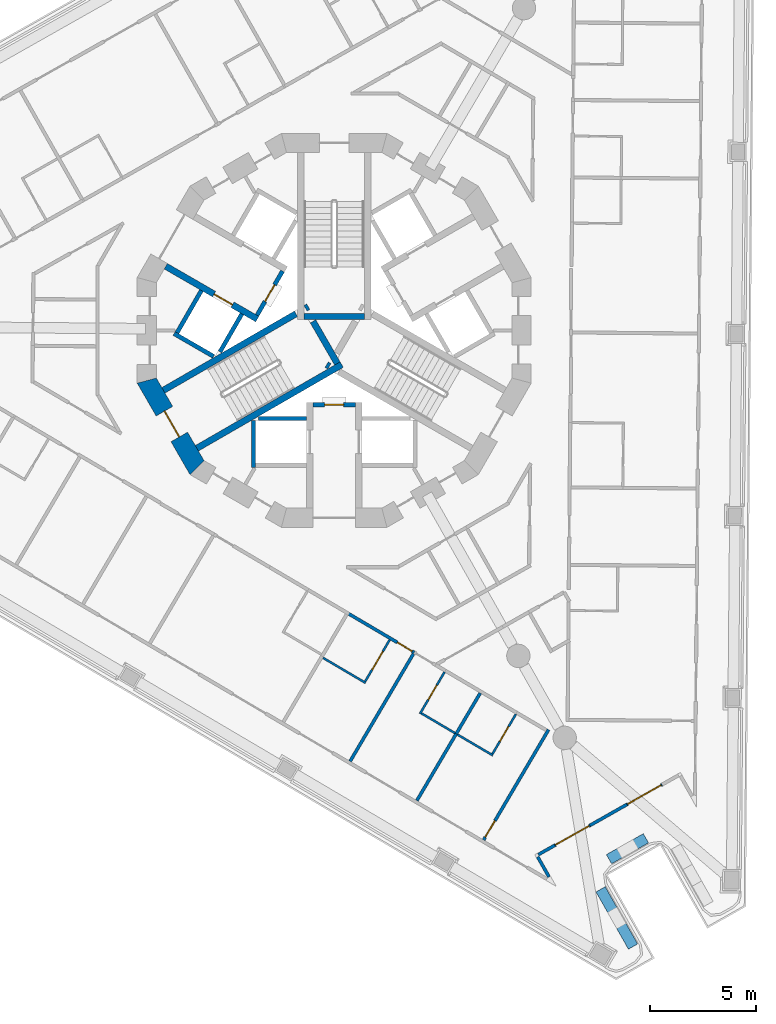
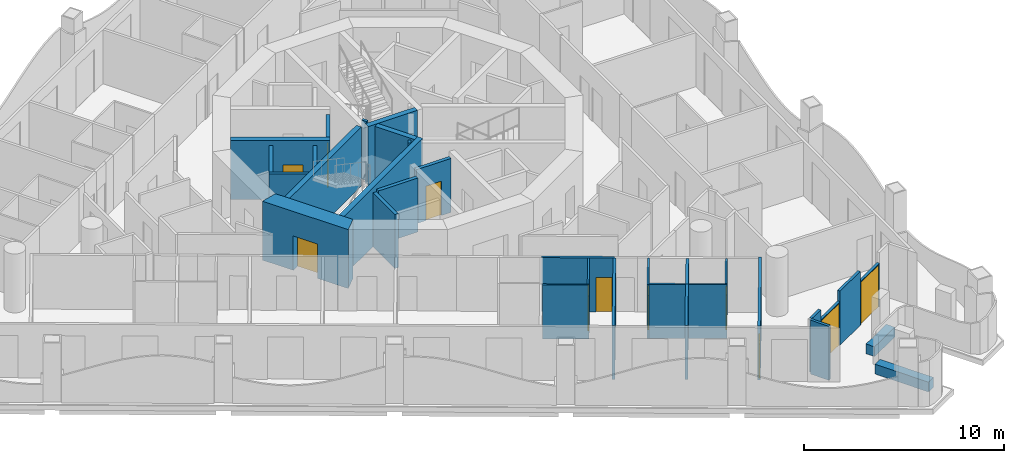
# One storey, part 4 of 18: 33 walls, 11 doors, 11 openings.
"""IFC4 building model written with IfcOpenShell, lengths in metres."""

from ifc_helpers import new_model, si_unit, direction, frame, frame_2d, origin, place, context, subcontext, project, spatial, polyline, rectangle, outline, extrude, material, layer, layer_set, type_object, element, fill, save


model = new_model("IFC4")

# Units and contexts
model_context = context("Model", 3, precision=1e-05, world=origin(), true_north=direction((0.0, 1.0)))
body_context = subcontext(model_context, "Body", "Model", "MODEL_VIEW")
ifc_project = project(units=[si_unit("LENGTHUNIT", "METRE"), si_unit("AREAUNIT", "SQUARE_METRE"), si_unit("VOLUMEUNIT", "CUBIC_METRE"), si_unit("PLANEANGLEUNIT", "RADIAN"), si_unit("MASSUNIT", "GRAM", prefix="KILO")], contexts=[model_context])

# Site, building, storey
site_placement = place(None, origin())
site = spatial("IfcSite", under=ifc_project, at=site_placement, CompositionType="ELEMENT")
building_placement = place(site_placement, origin())
building = spatial("IfcBuilding", under=site, at=building_placement, Name="Trine Commons Tower", CompositionType="ELEMENT")
storey_placement = place(building_placement, frame((0.0, 0.0, 175.5)))
storey = spatial("IfcBuildingStorey", under=building, at=storey_placement, Name="L45", CompositionType="ELEMENT", Elevation=175.5)

# Wall, opening, door
ifc_material_1 = material(Name="Aluminium-framed insulated wall panel", Category="aluminium")
ifc_layer_1 = layer(ifc_material_1, 0.14990234375)
ifc_layer_set_1 = layer_set([ifc_layer_1], Name="Aluminium-framed insulated wall panel")
wall_type_1 = type_object("IfcWallType", Name="Glazed frame wall 150, EI 60", PredefinedType="SOLIDWALL", material=ifc_layer_set_1)
wall_1_placement = place(storey_placement, frame((95.430419921875, 41.115966796875, 0.0), z_axis=(0.0, 0.0, 1.0), x_axis=(-0.870354540841, -0.492425601728, 0.0)))
wall_1 = element("IfcWall", 1, at=wall_1_placement, inside=storey, type_object=wall_type_1, Name="Glazed frame wall P3.2", PredefinedType="SOLIDWALL", context=body_context, shape_type="SweptSolid", body=[
    extrude(outline(polyline([(0.0, -0.074951171875), (1.89990234375, -0.074951171875), (1.89990234375, 0.074951171875), (0.0, 0.074951171875), (0.0, -0.074951171875)])), origin(), (0.0, 0.0, 1.0), 2.64990234375),
])
opening_1_placement = place(wall_1_placement, frame((0.050048828125, 0.0, 0.0)))
opening_1 = element("IfcOpeningElement", 2, at=opening_1_placement, cuts=wall_1, Name="Opening BD-5P3-01", PredefinedType="OPENING", context=body_context, shape_type="SweptSolid", body=[
    extrude(rectangle(XDim=1.800048828125, YDim=2.60009765625, at=frame_2d((0.89990234375, 1.300048828125))), frame((0.0, 0.0849609375, 0.0), z_axis=(0.0, -1.0, 0.0), x_axis=(1.0, 0.0, 0.0)), (0.0, 0.0, 1.0), 0.169921875),
])
ifc_material_2 = material(Name="Anodised aluminium frame with double glazing", Category="aluminium")
door_type_1 = type_object("IfcDoorType", Name="Sliding loggia door 1800x2600", OperationType="SLIDING_TO_LEFT", PredefinedType="DOOR", material=ifc_material_2)
door_1_placement = place(opening_1_placement, origin())
door_1 = element("IfcDoor", 3, at=door_1_placement, inside=storey, type_object=door_type_1, Name="Loggia door P3 1", OperationType="SLIDING_TO_LEFT", OverallHeight=2.60009765625, OverallWidth=1.800048828125, PredefinedType="DOOR", context=body_context, shape_type="SweptSolid", body=[
    extrude(rectangle(XDim=1.800048828125, YDim=2.60009765625, at=frame_2d((0.89990234375, 1.300048828125))), frame((0.0, 0.02490234375, 0.0), z_axis=(0.0, -1.0, 0.0), x_axis=(1.0, 0.0, 0.0)), (0.0, 0.0, 1.0), 0.050048828125),
])
fill(opening_1, door_1)

# Wall
wall_2_placement = place(storey_placement, frame((93.77685546875, 40.180419921875, 0.0), z_axis=(0.0, 0.0, 1.0), x_axis=(-0.870353598469, -0.492427267353, 0.0)))
element("IfcWall", 4, at=wall_2_placement, inside=storey, type_object=wall_type_1, Name="Glazed frame wall P3.3", PredefinedType="SOLIDWALL", context=body_context, shape_type="SweptSolid", body=[
    extrude(outline(polyline([(0.0, -0.074951171875), (2.0, -0.074951171875), (2.0, 0.074951171875), (0.0, 0.074951171875), (0.0, -0.074951171875)])), origin(), (0.0, 0.0, 1.0), 3.300048828125),
])

# Wall, opening, door
wall_3_placement = place(storey_placement, frame((92.0361328125, 39.195556640625, 0.0), z_axis=(0.0, 0.0, 1.0), x_axis=(-0.870385695537, -0.492370532226, 0.0)))
wall_3 = element("IfcWall", 5, at=wall_3_placement, inside=storey, type_object=wall_type_1, Name="Glazed frame wall P3.4", PredefinedType="SOLIDWALL", context=body_context, shape_type="SweptSolid", body=[
    extrude(outline(polyline([(0.0, -0.074951171875), (1.89990234375, -0.074951171875), (1.89990234375, 0.074951171875), (0.0, 0.074951171875), (0.0, -0.074951171875)])), origin(), (0.0, 0.0, 1.0), 2.64990234375),
])
opening_2_placement = place(wall_3_placement, frame((0.050048828125, 0.0, 0.0)))
opening_2 = element("IfcOpeningElement", 6, at=opening_2_placement, cuts=wall_3, Name="Opening BD-5P3-02", PredefinedType="OPENING", context=body_context, shape_type="SweptSolid", body=[
    extrude(rectangle(XDim=1.800048828125, YDim=2.60009765625, at=frame_2d((0.89990234375, 1.300048828125))), frame((0.0, 0.0849609375, 0.0), z_axis=(0.0, -1.0, 0.0), x_axis=(1.0, 0.0, 0.0)), (0.0, 0.0, 1.0), 0.169921875),
])
door_2_placement = place(opening_2_placement, origin())
door_2 = element("IfcDoor", 7, at=door_2_placement, inside=storey, type_object=door_type_1, Name="Loggia door P3 2", OperationType="SLIDING_TO_LEFT", OverallHeight=2.60009765625, OverallWidth=1.800048828125, PredefinedType="DOOR", context=body_context, shape_type="SweptSolid", body=[
    extrude(rectangle(XDim=1.800048828125, YDim=2.60009765625, at=frame_2d((0.89990234375, 1.300048828125))), frame((0.0, 0.02490234375, 0.0), z_axis=(0.0, -1.0, 0.0), x_axis=(1.0, 0.0, 0.0)), (0.0, 0.0, 1.0), 0.050048828125),
])
fill(opening_2, door_2)

# Walls
wall_4_placement = place(storey_placement, frame((90.38232421875, 38.260009765625, 0.0), z_axis=(0.0, 0.0, 1.0), x_axis=(-0.870294379776, -0.492531920316, 0.0)))
element("IfcWall", 8, at=wall_4_placement, inside=storey, type_object=wall_type_1, Name="Glazed frame wall P3.5", PredefinedType="SOLIDWALL", context=body_context, shape_type="SweptSolid", body=[
    extrude(outline(polyline([(0.889892578125, 0.074951171875), (0.0, 0.074951171875), (0.0, -0.074951171875), (0.889892578125, -0.074951171875), (0.889892578125, 0.074951171875)])), origin(), (0.0, 0.0, 1.0), 3.300048828125),
])
wall_5_placement = place(storey_placement, frame((89.525390625, 37.815185546875, 0.0), z_axis=(0.0, 0.0, 1.0), x_axis=(0.492302481267, -0.870424187933, 0.0)))
element("IfcWall", 9, at=wall_5_placement, inside=storey, type_object=wall_type_1, Name="Glazed frame wall R11", PredefinedType="SOLIDWALL", context=body_context, shape_type="SweptSolid", body=[
    extrude(outline(polyline([(0.110107421875, 0.074951171875), (0.110107421875, -0.074951171875), (1.19580078125, -0.074951171875), (1.19580078125, 0.074951171875), (0.110107421875, 0.074951171875)])), origin(), (0.0, 0.0, 1.0), 3.300048828125),
])

# Wall, opening, door
ifc_material_3 = material(Name="Fire-rated gypsum shaft wall system")
ifc_layer_2 = layer(ifc_material_3, 0.199951171875)
ifc_layer_set_2 = layer_set([ifc_layer_2], Name="Fire-rated gypsum shaft wall system")
wall_type_2 = type_object("IfcWallType", Name="Lobby end wall 200 mm, EI 120", PredefinedType="PARTITIONING", material=ifc_layer_set_2)
wall_6_placement = place(storey_placement, frame((77.569091796875, 65.2890625, 0.0), z_axis=(0.0, 0.0, 1.0), x_axis=(-0.50012165622, -0.865955154139, 0.0)))
wall_6 = element("IfcWall", 10, at=wall_6_placement, inside=storey, type_object=wall_type_2, Name="Lobby end wall L45", PredefinedType="PARTITIONING", context=body_context, shape_type="SweptSolid", body=[
    extrude(rectangle(XDim=2.39990234375, YDim=0.199951171875, at=frame_2d((1.199951171875, 0.0))), origin(), (0.0, 0.0, 1.0), 3.300048828125),
])
opening_3_placement = place(wall_6_placement, frame((0.749755859375, 0.0, 0.0)))
opening_3 = element("IfcOpeningElement", 11, at=opening_3_placement, cuts=wall_6, Name="Opening K12.07", PredefinedType="OPENING", context=body_context, shape_type="SweptSolid", body=[
    extrude(rectangle(XDim=0.89990234375, YDim=2.10009765625, at=frame_2d((0.449951171875, 1.050048828125))), frame((0.0, 0.10986328125, 0.0), z_axis=(0.0, -1.0, 0.0), x_axis=(1.0, 0.0, 0.0)), (0.0, 0.0, 1.0), 0.219970703125),
])
ifc_material_4 = material(Name="Steel door leaf, fire-rated", Category="steel")
door_type_2 = type_object("IfcDoorType", Name="Riser access door, single leaf 900 x 2100, FD60", OperationType="SINGLE_SWING_LEFT", PredefinedType="DOOR", material=ifc_material_4)
door_3_placement = place(opening_3_placement, frame((0.89990234375, 0.0, 0.0), z_axis=(0.0, 0.0, 1.0), x_axis=(-1.0, 0.0, 0.0)))
door_3 = element("IfcDoor", 12, at=door_3_placement, inside=storey, type_object=door_type_2, Name="Riser door, Mechanical riser L45", OperationType="SINGLE_SWING_RIGHT", OverallHeight=2.10009765625, OverallWidth=0.89990234375, PredefinedType="DOOR", context=body_context, shape_type="SweptSolid", body=[
    extrude(rectangle(XDim=0.89990234375, YDim=2.10009765625, at=frame_2d((0.449951171875, 1.050048828125))), frame((0.0, 0.02490234375, 0.0), z_axis=(0.0, -1.0, 0.0), x_axis=(1.0, 0.0, 0.0)), (0.0, 0.0, 1.0), 0.050048828125),
])
fill(opening_3, door_3)

wall_7_placement = place(storey_placement, frame((79.0, 59.0, 0.0), z_axis=(0.0, 0.0, 1.0), x_axis=(1.0, 0.0, 0.0)))
wall_7 = element("IfcWall", 13, at=wall_7_placement, inside=storey, type_object=wall_type_2, Name="Lobby end wall L45", PredefinedType="PARTITIONING", context=body_context, shape_type="SweptSolid", body=[
    extrude(rectangle(XDim=2.0, YDim=0.199951171875, at=frame_2d((1.0, 0.0))), origin(), (0.0, 0.0, 1.0), 3.300048828125),
])
opening_4_placement = place(wall_7_placement, frame((0.550048828125, 0.0, 0.0)))
opening_4 = element("IfcOpeningElement", 14, at=opening_4_placement, cuts=wall_7, Name="Opening K12.09", PredefinedType="OPENING", context=body_context, shape_type="SweptSolid", body=[
    extrude(rectangle(XDim=0.89990234375, YDim=2.10009765625, at=frame_2d((0.449951171875, 1.050048828125))), frame((0.0, 0.10986328125, 0.0), z_axis=(0.0, -1.0, 0.0), x_axis=(1.0, 0.0, 0.0)), (0.0, 0.0, 1.0), 0.219970703125),
])
door_4_placement = place(opening_4_placement, frame((0.89990234375, 0.0, 0.0), z_axis=(0.0, 0.0, 1.0), x_axis=(-1.0, 0.0, 0.0)))
door_4 = element("IfcDoor", 15, at=door_4_placement, inside=storey, type_object=door_type_2, Name="Riser door, Communications riser L45", OperationType="SINGLE_SWING_RIGHT", OverallHeight=2.10009765625, OverallWidth=0.89990234375, PredefinedType="DOOR", context=body_context, shape_type="SweptSolid", body=[
    extrude(rectangle(XDim=0.89990234375, YDim=2.10009765625, at=frame_2d((0.449951171875, 1.050048828125))), frame((0.0, 0.02490234375, 0.0), z_axis=(0.0, -1.0, 0.0), x_axis=(1.0, 0.0, 0.0)), (0.0, 0.0, 1.0), 0.050048828125),
])
fill(opening_4, door_4)

# Walls
ifc_material_5 = material(Name="Planter trough, precast concrete C40/50", Category="concrete")
ifc_layer_3 = layer(ifc_material_5, 0.5)
ifc_layer_set_3 = layer_set([ifc_layer_3], Name="Planter trough, precast concrete C40/50")
wall_type_3 = type_object("IfcWallType", Name="Planter trough 500x600", PredefinedType="PARAPET", material=ifc_layer_set_3)
wall_8_placement = place(storey_placement, frame((94.67529296875, 38.592041015625, 0.0), z_axis=(0.0, 0.0, 1.0), x_axis=(-0.870323993841, -0.492479589165, 0.0)))
element("IfcWall", 16, at=wall_8_placement, inside=storey, type_object=wall_type_3, Name="Planter 8", PredefinedType="PARAPET", context=body_context, shape_type="SweptSolid", body=[
    extrude(rectangle(XDim=1.999755859375, YDim=0.5, at=frame_2d((1.0, 0.0))), origin(), (0.0, 0.0, 1.0), 0.60009765625),
])
wall_9_placement = place(storey_placement, frame((92.541748046875, 36.189697265625, 0.0), z_axis=(0.0, 0.0, 1.0), x_axis=(0.492402381783, -0.870367677717, 0.0)))
element("IfcWall", 17, at=wall_9_placement, inside=storey, type_object=wall_type_3, Name="Planter 9", PredefinedType="PARAPET", context=body_context, shape_type="SweptSolid", body=[
    extrude(rectangle(XDim=3.099853515625, YDim=0.5, at=frame_2d((1.5498046875, 0.0))), origin(), (0.0, 0.0, 1.0), 0.60009765625),
])

# Wall, opening, door
ifc_material_6 = material(Name="Concrete C60/75", Category="concrete")
ifc_layer_4 = layer(ifc_material_6, 0.300048828125)
ifc_layer_set_4 = layer_set([ifc_layer_4], Name="Concrete C60/75")
wall_type_4 = type_object("IfcWallType", Name="RC shear wall 300 mm, C60/75", PredefinedType="SHEAR", material=ifc_layer_set_4)
wall_10_placement = place(storey_placement, frame((76.381103515625, 63.031005859375, 0.0), z_axis=(0.0, 0.0, 1.0), x_axis=(-0.866080953719, 0.499903772346, 0.0)))
wall_10 = element("IfcWall", 18, at=wall_10_placement, inside=storey, type_object=wall_type_4, Name="Core cross wall SWB-01 L45", PredefinedType="SHEAR", context=body_context, shape_type="SweptSolid", body=[
    extrude(rectangle(XDim=4.97314453125, YDim=0.300048828125, at=frame_2d((2.486572265625, 0.0))), origin(), (0.0, 0.0, 1.0), 3.60009765625),
])
opening_5_placement = place(wall_10_placement, frame((1.350341796875, 0.0, 0.0)))
opening_5 = element("IfcOpeningElement", 19, at=opening_5_placement, cuts=wall_10, Name="Opening LD7", PredefinedType="OPENING", context=body_context, shape_type="SweptSolid", body=[
    extrude(rectangle(XDim=1.0, YDim=2.10009765625, at=frame_2d((0.5, 1.050048828125))), frame((0.0, 0.159912109375, 0.0), z_axis=(0.0, -1.0, 0.0), x_axis=(1.0, 0.0, 0.0)), (0.0, 0.0, 1.0), 0.320068359375),
])
ifc_material_7 = material(Name="Stainless steel sliding door leaves", Category="steel")
door_type_3 = type_object("IfcDoorType", Name="Lift landing door, centre-opening sliding 1000 x 2100, FD90", OperationType="DOUBLE_DOOR_SLIDING", PredefinedType="DOOR", material=ifc_material_7)
door_5_placement = place(opening_5_placement, origin())
door_5 = element("IfcDoor", 20, at=door_5_placement, inside=storey, type_object=door_type_3, Name="Lift landing door HR3 L45", OperationType="DOUBLE_DOOR_SLIDING", OverallHeight=2.10009765625, OverallWidth=1.0, PredefinedType="DOOR", context=body_context, shape_type="SweptSolid", body=[
    extrude(rectangle(XDim=1.0, YDim=2.10009765625, at=frame_2d((0.5, 1.050048828125))), frame((0.0, 0.02490234375, 0.0), z_axis=(0.0, -1.0, 0.0), x_axis=(1.0, 0.0, 0.0)), (0.0, 0.0, 1.0), 0.050048828125),
])
fill(opening_5, door_5)

# Walls
wall_11_placement = place(storey_placement, frame((78.199951171875, 63.280029296875, 0.0), z_axis=(0.0, 0.0, 1.0), x_axis=(-0.866028135082, -0.499995269223, 0.0)))
element("IfcWall", 21, at=wall_11_placement, inside=storey, type_object=wall_type_4, Name="Core cross wall SWB-07 L45", PredefinedType="SHEAR", context=body_context, shape_type="SweptSolid", body=[
    extrude(rectangle(XDim=7.2041015625, YDim=0.300048828125, at=frame_2d((3.60205078125, 0.0))), origin(), (0.0, 0.0, 1.0), 3.60009765625),
])
wall_12_placement = place(storey_placement, frame((78.779052734375, 63.614013671875, 0.0), z_axis=(0.0, 0.0, 1.0), x_axis=(-0.867737973955, -0.497021939713, 0.0)))
element("IfcWall", 22, at=wall_12_placement, inside=storey, type_object=wall_type_4, Name="Core cross wall SWB-09 L45", PredefinedType="SHEAR", context=body_context, shape_type="SweptSolid", body=[
    extrude(rectangle(XDim=0.14892578125, YDim=0.300048828125, at=frame_2d((0.074462890625, 0.0))), origin(), (0.0, 0.0, 1.0), 3.60009765625),
])
wall_13_placement = place(storey_placement, frame((79.0029296875, 62.926025390625, 0.0), z_axis=(0.0, 0.0, 1.0), x_axis=(0.499965247104, -0.866045467449, 0.0)))
element("IfcWall", 23, at=wall_13_placement, inside=storey, type_object=wall_type_4, Name="Core cross wall SWB-10 L45", PredefinedType="SHEAR", context=body_context, shape_type="SweptSolid", body=[
    extrude(rectangle(XDim=2.292236328125, YDim=0.300048828125, at=frame_2d((1.14599609375, 0.0))), origin(), (0.0, 0.0, 1.0), 3.60009765625),
])
wall_14_placement = place(storey_placement, frame((79.64599609375, 60.885986328125, 0.0), z_axis=(0.0, 0.0, 1.0), x_axis=(0.867331893649, -0.497730234424, 0.0)))
element("IfcWall", 24, at=wall_14_placement, inside=storey, type_object=wall_type_4, Name="Core cross wall SWB-11 L45", PredefinedType="SHEAR", context=body_context, shape_type="SweptSolid", body=[
    extrude(rectangle(XDim=0.148681640625, YDim=0.300048828125, at=frame_2d((0.07421875, 0.0))), origin(), (0.0, 0.0, 1.0), 3.60009765625),
])
wall_15_placement = place(storey_placement, frame((80.35400390625, 60.885986328125, 0.0), z_axis=(0.0, 0.0, 1.0), x_axis=(-0.866047706748, -0.499961368145, 0.0)))
element("IfcWall", 25, at=wall_15_placement, inside=storey, type_object=wall_type_4, Name="Core cross wall SWB-14 L45", PredefinedType="SHEAR", context=body_context, shape_type="SweptSolid", body=[
    extrude(rectangle(XDim=7.87255859375, YDim=0.300048828125, at=frame_2d((3.936279296875, 0.0))), origin(), (0.0, 0.0, 1.0), 3.60009765625),
])
wall_16_placement = place(storey_placement, frame((81.425048828125, 63.15087890625, 0.0), z_axis=(0.0, 0.0, 1.0), x_axis=(-1.0, 0.0, 0.0)))
element("IfcWall", 26, at=wall_16_placement, inside=storey, type_object=wall_type_4, Name="Core cross wall SWB-16 L45", PredefinedType="SHEAR", context=body_context, shape_type="SweptSolid", body=[
    extrude(rectangle(XDim=2.85009765625, YDim=0.300048828125, at=frame_2d((1.425048828125, 0.0))), origin(), (0.0, 0.0, 1.0), 3.60009765625),
])

# Wall, opening, door
ifc_layer_5 = layer(ifc_material_6, 0.89990234375)
ifc_layer_set_5 = layer_set([ifc_layer_5], Name="Concrete C60/75")
wall_type_5 = type_object("IfcWallType", Name="RC shear wall 900 mm, C60/75", PredefinedType="SHEAR", material=ifc_layer_set_5)
wall_17_placement = place(storey_placement, frame((71.11669921875, 60.240234375, 0.0), z_axis=(0.0, 0.0, 1.0), x_axis=(0.500038571144, -0.866003133579, 0.0)))
wall_17 = element("IfcWall", 27, at=wall_17_placement, inside=storey, type_object=wall_type_5, Name="Core wall CWE-08 L45", PredefinedType="SHEAR", context=body_context, shape_type="SweptSolid", body=[
    extrude(outline(polyline([(0.0, -0.449951171875), (4.96923828125, -0.449951171875), (4.72802734375, 0.449951171875), (0.2412109375, 0.449951171875), (0.0, -0.449951171875)])), origin(), (0.0, 0.0, 1.0), 3.60009765625),
])
opening_6_placement = place(wall_17_placement, frame((1.78466796875, 0.0, 0.0)))
opening_6 = element("IfcOpeningElement", 28, at=opening_6_placement, cuts=wall_17, Name="Opening K12.02", PredefinedType="OPENING", context=body_context, shape_type="SweptSolid", body=[
    extrude(rectangle(XDim=1.39990234375, YDim=2.10009765625, at=frame_2d((0.699951171875, 1.050048828125))), frame((0.0, 0.4599609375, 0.0), z_axis=(0.0, -1.0, 0.0), x_axis=(1.0, 0.0, 0.0)), (0.0, 0.0, 1.0), 0.919921875),
])
ifc_material_8 = material(Name="Steel door leaves, fire-rated", Category="steel")
door_type_4 = type_object("IfcDoorType", Name="Stair door, double leaf 1400 x 2100, FD90", OperationType="DOUBLE_DOOR_SINGLE_SWING", PredefinedType="DOOR", material=ifc_material_8)
door_6_placement = place(opening_6_placement, origin())
door_6 = element("IfcDoor", 29, at=door_6_placement, inside=storey, type_object=door_type_4, Name="Stair door to Exit stair ST2B L45", OperationType="DOUBLE_DOOR_SINGLE_SWING", OverallHeight=2.10009765625, OverallWidth=1.39990234375, PredefinedType="DOOR", context=body_context, shape_type="SweptSolid", body=[
    extrude(rectangle(XDim=1.39990234375, YDim=2.10009765625, at=frame_2d((0.699951171875, 1.050048828125))), frame((0.0, 0.02490234375, 0.0), z_axis=(0.0, -1.0, 0.0), x_axis=(1.0, 0.0, 0.0)), (0.0, 0.0, 1.0), 0.050048828125),
])
fill(opening_6, door_6)

# Walls
ifc_layer_6 = layer(ifc_material_3, 0.199951171875)
ifc_layer_set_6 = layer_set([ifc_layer_6], Name="Fire-rated gypsum shaft wall system")
wall_type_6 = type_object("IfcWallType", Name="Shaft wall 200 mm, EI 120", PredefinedType="PARTITIONING", material=ifc_layer_set_6)
wall_18_placement = place(storey_placement, frame((73.7509765625, 64.3759765625, 0.0), z_axis=(0.0, 0.0, 1.0), x_axis=(-0.500136062276, -0.86594683394, 0.0)))
element("IfcWall", 30, at=wall_18_placement, inside=storey, type_object=wall_type_6, Name="Shaft wall L45", PredefinedType="PARTITIONING", context=body_context, shape_type="SweptSolid", body=[
    extrude(rectangle(XDim=2.299072265625, YDim=0.199951171875, at=frame_2d((1.1494140625, 0.0))), origin(), (0.0, 0.0, 1.0), 3.300048828125),
])
wall_19_placement = place(storey_placement, frame((74.324951171875, 61.27392578125, 0.0), z_axis=(0.0, 0.0, 1.0), x_axis=(-0.866102336459, 0.499866725018, 0.0)))
element("IfcWall", 31, at=wall_19_placement, inside=storey, type_object=wall_type_6, Name="Shaft wall L45", PredefinedType="PARTITIONING", context=body_context, shape_type="SweptSolid", body=[
    extrude(rectangle(XDim=2.1484375, YDim=0.199951171875, at=frame_2d((1.07421875, 0.0))), origin(), (0.0, 0.0, 1.0), 3.300048828125),
])
wall_20_placement = place(storey_placement, frame((75.656005859375, 63.27587890625, 0.0), z_axis=(0.0, 0.0, 1.0), x_axis=(-0.500271688072, -0.86586848777, 0.0)))
element("IfcWall", 32, at=wall_20_placement, inside=storey, type_object=wall_type_6, Name="Shaft wall L45", PredefinedType="PARTITIONING", context=body_context, shape_type="SweptSolid", body=[
    extrude(rectangle(XDim=2.064697265625, YDim=0.199951171875, at=frame_2d((1.0322265625, 0.0))), origin(), (0.0, 0.0, 1.0), 3.300048828125),
])
wall_21_placement = place(storey_placement, frame((76.199951171875, 58.257080078125, 0.0), z_axis=(0.0, 0.0, 1.0), x_axis=(0.0, -1.0, 0.0)))
element("IfcWall", 33, at=wall_21_placement, inside=storey, type_object=wall_type_6, Name="Shaft wall L45", PredefinedType="PARTITIONING", context=body_context, shape_type="SweptSolid", body=[
    extrude(rectangle(XDim=2.20703125, YDim=0.199951171875, at=frame_2d((1.103515625, 0.0))), origin(), (0.0, 0.0, 1.0), 3.300048828125),
])
wall_22_placement = place(storey_placement, frame((78.699951171875, 58.35009765625, 0.0), z_axis=(0.0, 0.0, 1.0), x_axis=(-1.0, 0.0, 0.0)))
element("IfcWall", 34, at=wall_22_placement, inside=storey, type_object=wall_type_6, Name="Shaft wall L45", PredefinedType="PARTITIONING", context=body_context, shape_type="SweptSolid", body=[
    extrude(rectangle(XDim=2.264892578125, YDim=0.199951171875, at=frame_2d((1.13232421875, 0.0))), origin(), (0.0, 0.0, 1.0), 3.300048828125),
])

# Wall, opening, door
ifc_material_9 = material(Name="Gypsum plasterboard on steel stud", Category="steel")
ifc_layer_7 = layer(ifc_material_9, 0.14990234375)
ifc_layer_set_7 = layer_set([ifc_layer_7], Name="Gypsum plasterboard on steel stud")
wall_type_7 = type_object("IfcWallType", Name="Unit and corridor wall 150 mm, EI 60", PredefinedType="PARTITIONING", material=ifc_layer_set_7)
wall_23_placement = place(storey_placement, frame((80.6240234375, 49.194091796875, 0.0), z_axis=(0.0, 0.0, 1.0), x_axis=(0.861545767891, -0.507679908829, 0.0)))
wall_23 = element("IfcWall", 35, at=wall_23_placement, inside=storey, type_object=wall_type_7, Name="Partition 068", PredefinedType="PARTITIONING", context=body_context, shape_type="SweptSolid", body=[
    extrude(rectangle(XDim=3.65380859375, YDim=0.14990234375, at=frame_2d((1.826904296875, 0.0))), origin(), (0.0, 0.0, 1.0), 3.300048828125),
])
opening_7_placement = place(wall_23_placement, frame((2.731201171875, 0.0, 0.0)))
opening_7 = element("IfcOpeningElement", 36, at=opening_7_placement, cuts=wall_23, Name="Opening D-5B24", PredefinedType="OPENING", context=body_context, shape_type="SweptSolid", body=[
    extrude(rectangle(XDim=0.800048828125, YDim=2.10009765625, at=frame_2d((0.39990234375, 1.050048828125))), frame((0.0, 0.0849609375, 0.0), z_axis=(0.0, -1.0, 0.0), x_axis=(1.0, 0.0, 0.0)), (0.0, 0.0, 1.0), 0.169921875),
])
ifc_material_10 = material(Name="Timber fire door set", Category="wood")
door_type_5 = type_object("IfcDoorType", Name="Bedroom door 800 x 2100, FD30S", OperationType="NOTDEFINED", PredefinedType="DOOR", material=ifc_material_10)
door_7_placement = place(opening_7_placement, frame((0.800048828125, 0.0, 0.0), z_axis=(0.0, 0.0, 1.0), x_axis=(-1.0, 0.0, 0.0)))
door_7 = element("IfcDoor", 37, at=door_7_placement, inside=storey, type_object=door_type_5, Name="Door D-5B24", OperationType="SINGLE_SWING_LEFT", OverallHeight=2.10009765625, OverallWidth=0.800048828125, PredefinedType="DOOR", context=body_context, shape_type="SweptSolid", body=[
    extrude(rectangle(XDim=0.800048828125, YDim=2.10009765625, at=frame_2d((0.39990234375, 1.050048828125))), frame((0.0, 0.02490234375, 0.0), z_axis=(0.0, -1.0, 0.0), x_axis=(1.0, 0.0, 0.0)), (0.0, 0.0, 1.0), 0.050048828125),
])
fill(opening_7, door_7)

# Walls
wall_24_placement = place(storey_placement, frame((80.750244140625, 42.215576171875, 0.0), z_axis=(0.0, 0.0, 1.0), x_axis=(0.507497807972, 0.86165304787, 0.0)))
element("IfcWall", 38, at=wall_24_placement, inside=storey, type_object=wall_type_7, Name="Partition 071", PredefinedType="PARTITIONING", context=body_context, shape_type="SweptSolid", body=[
    extrude(rectangle(XDim=5.873291015625, YDim=0.14990234375, at=frame_2d((2.9365234375, 0.0))), origin(), (0.0, 0.0, 1.0), 3.300048828125),
])
wall_25_placement = place(storey_placement, frame((83.892333984375, 40.364501953125, 0.0), z_axis=(0.0, 0.0, 1.0), x_axis=(0.50751135469, 0.861645068959, 0.0)))
element("IfcWall", 39, at=wall_25_placement, inside=storey, type_object=wall_type_7, Name="Partition 082", PredefinedType="PARTITIONING", context=body_context, shape_type="SweptSolid", body=[
    extrude(rectangle(XDim=3.6484375, YDim=0.14990234375, at=frame_2d((1.82421875, 0.0))), origin(), (0.0, 0.0, 1.0), 3.300048828125),
])
wall_26_placement = place(storey_placement, frame((85.743896484375, 43.508056640625, 0.0), z_axis=(0.0, 0.0, 1.0), x_axis=(0.507719935198, 0.861522180447, 0.0)))
element("IfcWall", 40, at=wall_26_placement, inside=storey, type_object=wall_type_7, Name="Partition 097", PredefinedType="PARTITIONING", context=body_context, shape_type="SweptSolid", body=[
    extrude(rectangle(XDim=2.225341796875, YDim=0.14990234375, at=frame_2d((1.11279296875, 0.0))), origin(), (0.0, 0.0, 1.0), 3.300048828125),
])

# Wall, opening, door
wall_27_placement = place(storey_placement, frame((87.035400390625, 38.512451171875, 0.0), z_axis=(0.0, 0.0, 1.0), x_axis=(0.507392006532, 0.861715354225, 0.0)))
wall_27 = element("IfcWall", 41, at=wall_27_placement, inside=storey, type_object=wall_type_7, Name="Partition 103", PredefinedType="PARTITIONING", context=body_context, shape_type="SweptSolid", body=[
    extrude(rectangle(XDim=6.024169921875, YDim=0.14990234375, at=frame_2d((3.01220703125, 0.0))), origin(), (0.0, 0.0, 1.0), 3.300048828125),
])
opening_8_placement = place(wall_27_placement, frame((0.14990234375, 0.0, 0.0)))
opening_8 = element("IfcOpeningElement", 42, at=opening_8_placement, cuts=wall_27, Name="Opening D-5B22", PredefinedType="OPENING", context=body_context, shape_type="SweptSolid", body=[
    extrude(rectangle(XDim=0.89990234375, YDim=2.10009765625, at=frame_2d((0.449951171875, 1.050048828125))), frame((0.0, 0.0849609375, 0.0), z_axis=(0.0, -1.0, 0.0), x_axis=(1.0, 0.0, 0.0)), (0.0, 0.0, 1.0), 0.169921875),
])
door_type_6 = type_object("IfcDoorType", Name="Bedroom door 900 x 2100, FD30S", OperationType="NOTDEFINED", PredefinedType="DOOR", material=ifc_material_10)
door_8_placement = place(opening_8_placement, origin())
door_8 = element("IfcDoor", 43, at=door_8_placement, inside=storey, type_object=door_type_6, Name="Door D-5B22", OperationType="SINGLE_SWING_LEFT", OverallHeight=2.10009765625, OverallWidth=0.89990234375, PredefinedType="DOOR", context=body_context, shape_type="SweptSolid", body=[
    extrude(rectangle(XDim=0.89990234375, YDim=2.10009765625, at=frame_2d((0.449951171875, 1.050048828125))), frame((0.0, 0.02490234375, 0.0), z_axis=(0.0, -1.0, 0.0), x_axis=(1.0, 0.0, 0.0)), (0.0, 0.0, 1.0), 0.050048828125),
])
fill(opening_8, door_8)

# Wall
ifc_layer_8 = layer(ifc_material_9, 0.10009765625)
ifc_layer_set_8 = layer_set([ifc_layer_8], Name="Gypsum plasterboard on steel stud")
wall_type_8 = type_object("IfcWallType", Name="Unit partition 100 mm, no rating", PredefinedType="PARTITIONING", material=ifc_layer_set_8)
wall_28_placement = place(storey_placement, frame((79.4736328125, 47.0859375, 0.0), z_axis=(0.0, 0.0, 1.0), x_axis=(0.861645111773, -0.507511282001, 0.0)))
element("IfcWall", 44, at=wall_28_placement, inside=storey, type_object=wall_type_8, Name="Partition 065", PredefinedType="PARTITIONING", context=body_context, shape_type="SweptSolid", body=[
    extrude(rectangle(XDim=2.323974609375, YDim=0.10009765625, at=frame_2d((1.162109375, 0.0))), origin(), (0.0, 0.0, 1.0), 3.300048828125),
])

# Wall, opening, door
wall_29_placement = place(storey_placement, frame((81.45849609375, 45.97509765625, 0.0), z_axis=(0.0, 0.0, 1.0), x_axis=(0.508009523195, 0.861351452279, 0.0)))
wall_29 = element("IfcWall", 45, at=wall_29_placement, inside=storey, type_object=wall_type_8, Name="Partition 076", PredefinedType="PARTITIONING", context=body_context, shape_type="SweptSolid", body=[
    extrude(rectangle(XDim=2.274658203125, YDim=0.10009765625, at=frame_2d((1.13720703125, 0.0))), origin(), (0.0, 0.0, 1.0), 3.300048828125),
])
opening_9_placement = place(wall_29_placement, frame((0.63720703125, 0.0, 0.0)))
opening_9 = element("IfcOpeningElement", 46, at=opening_9_placement, cuts=wall_29, Name="Opening D-5B55", PredefinedType="OPENING", context=body_context, shape_type="SweptSolid", body=[
    extrude(rectangle(XDim=1.0, YDim=2.10009765625, at=frame_2d((0.5, 1.050048828125))), frame((0.0, 0.06005859375, 0.0), z_axis=(0.0, -1.0, 0.0), x_axis=(1.0, 0.0, 0.0)), (0.0, 0.0, 1.0), 0.1201171875),
])
ifc_material_11 = material(Name="Painted timber", Category="wood")
door_type_7 = type_object("IfcDoorType", Name="Internal door 1000 x 2100, NOT RATED", OperationType="NOTDEFINED", PredefinedType="DOOR", material=ifc_material_11)
door_9_placement = place(opening_9_placement, frame((1.0, 0.0, 0.0), z_axis=(0.0, 0.0, 1.0), x_axis=(-1.0, 0.0, 0.0)))
door_9 = element("IfcDoor", 47, at=door_9_placement, inside=storey, type_object=door_type_7, Name="Door D-5B55", OperationType="SINGLE_SWING_RIGHT", OverallHeight=2.10009765625, OverallWidth=1.0, PredefinedType="DOOR", context=body_context, shape_type="SweptSolid", body=[
    extrude(rectangle(XDim=1.0, YDim=2.10009765625, at=frame_2d((0.5, 1.050048828125))), frame((0.0, 0.02490234375, 0.0), z_axis=(0.0, -1.0, 0.0), x_axis=(1.0, 0.0, 0.0)), (0.0, 0.0, 1.0), 0.050048828125),
])
fill(opening_9, door_9)

wall_30_placement = place(storey_placement, frame((84.03857421875, 44.454833984375, 0.0), z_axis=(0.0, 0.0, 1.0), x_axis=(0.50769515182, 0.861536785528, 0.0)))
wall_30 = element("IfcWall", 48, at=wall_30_placement, inside=storey, type_object=wall_type_8, Name="Partition 083", PredefinedType="PARTITIONING", context=body_context, shape_type="SweptSolid", body=[
    extrude(rectangle(XDim=2.275634765625, YDim=0.10009765625, at=frame_2d((1.1376953125, 0.0))), origin(), (0.0, 0.0, 1.0), 3.300048828125),
])
opening_10_placement = place(wall_30_placement, frame((0.7626953125, 0.0, 0.0)))
opening_10 = element("IfcOpeningElement", 49, at=opening_10_placement, cuts=wall_30, Name="Opening D-5B54", PredefinedType="OPENING", context=body_context, shape_type="SweptSolid", body=[
    extrude(rectangle(XDim=0.800048828125, YDim=2.10009765625, at=frame_2d((0.39990234375, 1.050048828125))), frame((0.0, 0.06005859375, 0.0), z_axis=(0.0, -1.0, 0.0), x_axis=(1.0, 0.0, 0.0)), (0.0, 0.0, 1.0), 0.1201171875),
])
door_type_8 = type_object("IfcDoorType", Name="Internal door 800 x 2100, NOT RATED", OperationType="NOTDEFINED", PredefinedType="DOOR", material=ifc_material_11)
door_10_placement = place(opening_10_placement, origin())
door_10 = element("IfcDoor", 50, at=door_10_placement, inside=storey, type_object=door_type_8, Name="Door D-5B54", OperationType="SINGLE_SWING_RIGHT", OverallHeight=2.10009765625, OverallWidth=0.800048828125, PredefinedType="DOOR", context=body_context, shape_type="SweptSolid", body=[
    extrude(rectangle(XDim=0.800048828125, YDim=2.10009765625, at=frame_2d((0.39990234375, 1.050048828125))), frame((0.0, 0.02490234375, 0.0), z_axis=(0.0, -1.0, 0.0), x_axis=(1.0, 0.0, 0.0)), (0.0, 0.0, 1.0), 0.050048828125),
])
fill(opening_10, door_10)

# Walls
wall_31_placement = place(storey_placement, frame((84.107177734375, 44.47265625, 0.0), z_axis=(0.0, 0.0, 1.0), x_axis=(0.861538461538, -0.507692307692, 0.0)))
element("IfcWall", 51, at=wall_31_placement, inside=storey, type_object=wall_type_8, Name="Partition 084", PredefinedType="PARTITIONING", context=body_context, shape_type="SweptSolid", body=[
    extrude(rectangle(XDim=1.824951171875, YDim=0.10009765625, at=frame_2d((0.91259765625, 0.0))), origin(), (0.0, 0.0, 1.0), 3.300048828125),
])
wall_32_placement = place(storey_placement, frame((85.80859375, 43.469970703125, 0.0), z_axis=(0.0, 0.0, 1.0), x_axis=(0.861891835241, -0.507092165533, 0.0)))
element("IfcWall", 52, at=wall_32_placement, inside=storey, type_object=wall_type_8, Name="Partition 098", PredefinedType="PARTITIONING", context=body_context, shape_type="SweptSolid", body=[
    extrude(rectangle(XDim=1.92529296875, YDim=0.10009765625, at=frame_2d((0.962646484375, 0.0))), origin(), (0.0, 0.0, 1.0), 3.300048828125),
])

# Wall, opening, door
wall_33_placement = place(storey_placement, frame((87.450439453125, 42.56201171875, 0.0), z_axis=(0.0, 0.0, 1.0), x_axis=(0.507559836999, 0.861616510906, 0.0)))
wall_33 = element("IfcWall", 53, at=wall_33_placement, inside=storey, type_object=wall_type_8, Name="Partition 104", PredefinedType="PARTITIONING", context=body_context, shape_type="SweptSolid", body=[
    extrude(rectangle(XDim=2.174072265625, YDim=0.10009765625, at=frame_2d((1.0869140625, 0.0))), origin(), (0.0, 0.0, 1.0), 3.300048828125),
])
opening_11_placement = place(wall_33_placement, frame((0.68701171875, 0.0, 0.0)))
opening_11 = element("IfcOpeningElement", 54, at=opening_11_placement, cuts=wall_33, Name="Opening D-5B53", PredefinedType="OPENING", context=body_context, shape_type="SweptSolid", body=[
    extrude(rectangle(XDim=0.800048828125, YDim=2.10009765625, at=frame_2d((0.39990234375, 1.050048828125))), frame((0.0, 0.06005859375, 0.0), z_axis=(0.0, -1.0, 0.0), x_axis=(1.0, 0.0, 0.0)), (0.0, 0.0, 1.0), 0.1201171875),
])
door_11_placement = place(opening_11_placement, frame((0.800048828125, 0.0, 0.0), z_axis=(0.0, 0.0, 1.0), x_axis=(-1.0, 0.0, 0.0)))
door_11 = element("IfcDoor", 55, at=door_11_placement, inside=storey, type_object=door_type_8, Name="Door D-5B53", OperationType="SINGLE_SWING_RIGHT", OverallHeight=2.10009765625, OverallWidth=0.800048828125, PredefinedType="DOOR", context=body_context, shape_type="SweptSolid", body=[
    extrude(rectangle(XDim=0.800048828125, YDim=2.10009765625, at=frame_2d((0.39990234375, 1.050048828125))), frame((0.0, 0.02490234375, 0.0), z_axis=(0.0, -1.0, 0.0), x_axis=(1.0, 0.0, 0.0)), (0.0, 0.0, 1.0), 0.050048828125),
])
fill(opening_11, door_11)

save(model, "model.ifc")
